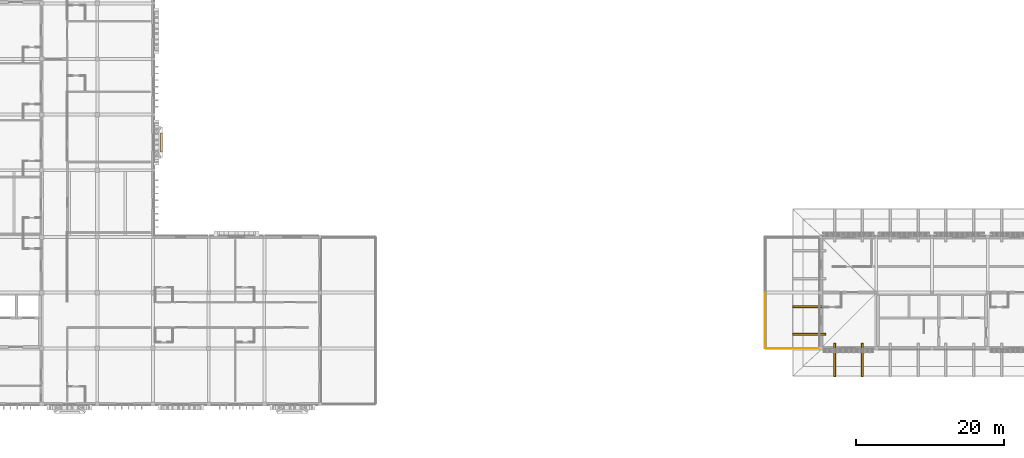
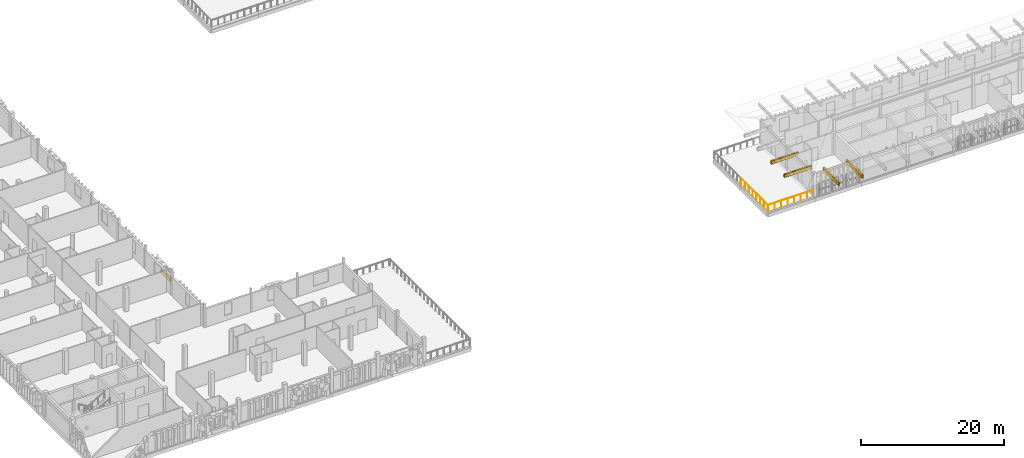
# One storey, part 27 of 33: 5 coverings, 2 railings.
"""IFC4 building model written with IfcOpenShell, lengths in metres."""

from ifc_helpers import new_model, si_unit, direction, frame, origin, origin_2d, place, context, subcontext, project, spatial, rectangle, circle, extrude, material, layer, layer_set, type_object, element, save


model = new_model("IFC4")

# Units and contexts
model_context = context("Model", 3, precision=1e-05, world=origin(), true_north=direction((0.0, 1.0)))
body_context = subcontext(model_context, "Body", "Model", "MODEL_VIEW")
ifc_project = project(units=[si_unit("LENGTHUNIT", "METRE"), si_unit("AREAUNIT", "SQUARE_METRE"), si_unit("VOLUMEUNIT", "CUBIC_METRE"), si_unit("PLANEANGLEUNIT", "RADIAN"), si_unit("MASSUNIT", "GRAM", prefix="KILO")], contexts=[model_context])

# Site, building, storey
site_placement = place(None, origin())
site = spatial("IfcSite", under=ifc_project, at=site_placement, CompositionType="ELEMENT")
building_placement = place(site_placement, origin())
building = spatial("IfcBuilding", under=site, at=building_placement, Name="Dalvernix Boulevard General Hospital", CompositionType="ELEMENT")
storey_placement = place(building_placement, frame((0.0, 0.0, 21.89990234375)))
storey = spatial("IfcBuildingStorey", under=building, at=storey_placement, Name="L05", CompositionType="ELEMENT", Elevation=21.89990234375)

# Coverings
ifc_material_1 = material(Name="Polychrome glazed Catalan trencadis ceramic faceted bay spandrel")
ifc_layer_1 = layer(ifc_material_1, 0.280029296875)
ifc_layer_set_1 = layer_set([ifc_layer_1], Name="Polychrome glazed Catalan trencadis ceramic faceted bay spandrel (COV-BAY-01)")
covering_type_1 = type_object("IfcCoveringType", Name="COV-BAY-01", PredefinedType="CLADDING", material=ifc_layer_set_1)
covering_placement = place(storey_placement, frame((31.159912109375, 35.25, 0.38037109375), z_axis=(0.0, 0.0, 1.0), x_axis=(0.0, -1.0, 0.0)))
element("IfcCovering", 1, at=covering_placement, inside=storey, type_object=covering_type_1, Name="L05 projecting faceted trencadis bay spandrel E 4-4", PredefinedType="CLADDING", context=body_context, shape_type="SweptSolid", body=[
    extrude(rectangle(XDim=2.60009765625, YDim=0.280029296875, at=origin_2d()), origin(), (0.0, 0.0, 1.0), 0.679931640625),
])
ifc_material_2 = material(Name="Preservative-treated glulam GL28h eave outlooker corbel bracket", Category="wood")
ifc_layer_2 = layer(ifc_material_2, 0.239990234375)
ifc_layer_set_2 = layer_set([ifc_layer_2], Name="Preservative-treated glulam GL28h eave outlooker corbel bracket (COV-OUTLOOK-01)")
covering_type_2 = type_object("IfcCoveringType", Name="COV-OUTLOOK-01", PredefinedType="CLADDING", material=ifc_layer_set_2)
for number, where, z_axis, x_axis, name in (
    (2, (121.875, 5.925048828125, 3.39013671875), (0.0, 0.0, 1.0), (1.0, 0.0, 0.0), "V5 glulam eave outlooker corbel S-1"),
    (3, (125.625, 5.925048828125, 3.39013671875), (0.0, 0.0, 1.0), (1.0, 0.0, 0.0), "V5 glulam eave outlooker corbel S-2"),
):
    element("IfcCovering", number, at=place(storey_placement, frame(where, z_axis=z_axis, x_axis=x_axis)), inside=storey, type_object=covering_type_2, Name=name, PredefinedType="CLADDING", context=body_context, shape_type="SweptSolid", body=[
        extrude(rectangle(XDim=0.260009765625, YDim=4.449951171875, at=origin_2d()), origin(), (0.0, 0.0, 1.0), 0.52001953125),
    ])
for number, where, z_axis, x_axis, name in (
    (4, (118.425048828125, 9.375, 3.39013671875), (0.0, 0.0, 1.0), (1.0, 0.0, 0.0), "V5 glulam eave outlooker corbel W-1"),
    (5, (118.425048828125, 13.125, 3.39013671875), (0.0, 0.0, 1.0), (1.0, 0.0, 0.0), "V5 glulam eave outlooker corbel W-2"),
):
    element("IfcCovering", number, at=place(storey_placement, frame(where, z_axis=z_axis, x_axis=x_axis)), inside=storey, type_object=covering_type_2, Name=name, PredefinedType="CLADDING", context=body_context, shape_type="SweptSolid", body=[
        extrude(rectangle(XDim=4.449951171875, YDim=0.260009765625, at=origin_2d()), origin(), (0.0, 0.0, 1.0), 0.52001953125),
    ])

# Railings
ifc_material_3 = material(Name="Powder-coated galvanized steel balustrade", Category="steel")
railing_type = type_object("IfcRailingType", Name="RL-GR-EXT1", PredefinedType="BALUSTRADE", material=ifc_material_3)
railing_1_placement = place(storey_placement, frame((112.5, 7.5400390625, 0.0)))
element("IfcRailing", 6, at=railing_1_placement, inside=storey, type_object=railing_type, Name="L05 terrace safety balustrade 6", PredefinedType="BALUSTRADE", context=body_context, shape_type="SweptSolid", body=[
    extrude(circle(Radius=0.02392578125, at=origin_2d()), frame((0.0, 0.0, 1.09619140625), z_axis=(0.0, 1.0, 0.0), x_axis=(-1.0, 0.0, 0.0)), (0.0, 0.0, 1.0), 7.419921875),
    extrude(circle(Radius=0.02099609375, at=origin_2d()), origin(), (0.0, 0.0, 1.0), 1.072021484375),
    extrude(circle(Radius=0.02099609375, at=origin_2d()), frame((0.0, 1.06005859375, 0.0)), (0.0, 0.0, 1.0), 1.072021484375),
    extrude(circle(Radius=0.02099609375, at=origin_2d()), frame((0.0, 2.119873046875, 0.0)), (0.0, 0.0, 1.0), 1.072021484375),
    extrude(circle(Radius=0.02099609375, at=origin_2d()), frame((0.0, 3.179931640625, 0.0)), (0.0, 0.0, 1.0), 1.072021484375),
    extrude(circle(Radius=0.02099609375, at=origin_2d()), frame((0.0, 4.239990234375, 0.0)), (0.0, 0.0, 1.0), 1.072021484375),
    extrude(circle(Radius=0.02099609375, at=origin_2d()), frame((0.0, 5.300048828125, 0.0)), (0.0, 0.0, 1.0), 1.072021484375),
    extrude(circle(Radius=0.02099609375, at=origin_2d()), frame((0.0, 6.35986328125, 0.0)), (0.0, 0.0, 1.0), 1.072021484375),
    extrude(circle(Radius=0.02099609375, at=origin_2d()), frame((0.0, 7.419921875, 0.0)), (0.0, 0.0, 1.0), 1.072021484375),
])
railing_2_placement = place(storey_placement, frame((119.909912109375, 7.5, 0.0)))
element("IfcRailing", 7, at=railing_2_placement, inside=storey, type_object=railing_type, Name="L05 terrace safety balustrade 9", PredefinedType="BALUSTRADE", context=body_context, shape_type="SweptSolid", body=[
    extrude(circle(Radius=0.02392578125, at=origin_2d()), frame((0.0, 0.0, 1.09619140625), z_axis=(-1.0, 0.0, 0.0), x_axis=(0.0, -1.0, 0.0)), (0.0, 0.0, 1.0), 7.369873046875),
    extrude(circle(Radius=0.02099609375, at=origin_2d()), origin(), (0.0, 0.0, 1.0), 1.072021484375),
    extrude(circle(Radius=0.02099609375, at=origin_2d()), frame((-1.052734375, 0.0, 0.0)), (0.0, 0.0, 1.0), 1.072021484375),
    extrude(circle(Radius=0.02099609375, at=origin_2d()), frame((-2.105712890625, 0.0, 0.0)), (0.0, 0.0, 1.0), 1.072021484375),
    extrude(circle(Radius=0.02099609375, at=origin_2d()), frame((-3.158447265625, 0.0, 0.0)), (0.0, 0.0, 1.0), 1.072021484375),
    extrude(circle(Radius=0.02099609375, at=origin_2d()), frame((-4.21142578125, 0.0, 0.0)), (0.0, 0.0, 1.0), 1.072021484375),
    extrude(circle(Radius=0.02099609375, at=origin_2d()), frame((-5.26416015625, 0.0, 0.0)), (0.0, 0.0, 1.0), 1.072021484375),
    extrude(circle(Radius=0.02099609375, at=origin_2d()), frame((-6.317138671875, 0.0, 0.0)), (0.0, 0.0, 1.0), 1.072021484375),
    extrude(circle(Radius=0.02099609375, at=origin_2d()), frame((-7.369873046875, 0.0, 0.0)), (0.0, 0.0, 1.0), 1.072021484375),
])

save(model, "model.ifc")
